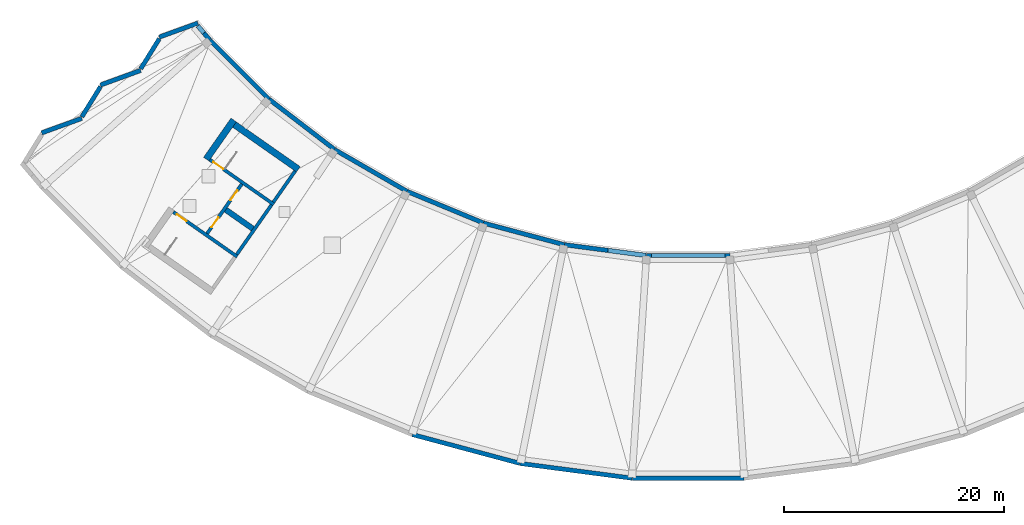
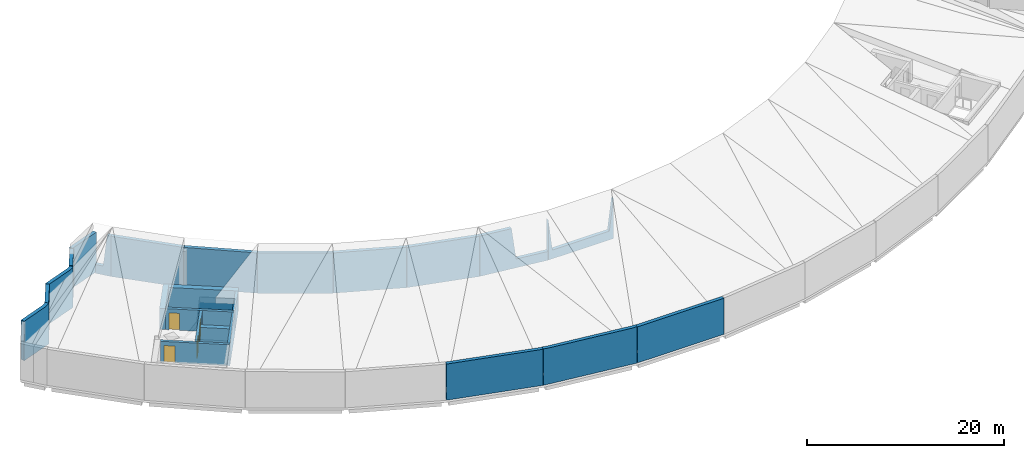
# One storey, part 4 of 6: 24 walls, 4 doors, 4 openings.
"""IFC4 building model written with IfcOpenShell, lengths in metres."""

from ifc_helpers import new_model, si_unit, direction, frame, frame_2d, origin, place, context, subcontext, project, spatial, polyline, rectangle, outline, extrude, material, layer, layer_set, type_object, element, fill, save


model = new_model("IFC4")

# Units and contexts
model_context = context("Model", 3, precision=1e-05, world=origin(), true_north=direction((0.0, 1.0)))
body_context = subcontext(model_context, "Body", "Model", "MODEL_VIEW")
ifc_project = project(units=[si_unit("LENGTHUNIT", "METRE"), si_unit("AREAUNIT", "SQUARE_METRE"), si_unit("VOLUMEUNIT", "CUBIC_METRE"), si_unit("PLANEANGLEUNIT", "RADIAN"), si_unit("MASSUNIT", "GRAM", prefix="KILO")], contexts=[model_context])

# Site, building, storey
site_placement = place(None, origin())
site = spatial("IfcSite", under=ifc_project, at=site_placement, CompositionType="ELEMENT")
building_placement = place(site_placement, origin())
building = spatial("IfcBuilding", under=site, at=building_placement, Name="Qamariyya Broadcast Tower", CompositionType="ELEMENT")
storey_placement = place(building_placement, frame((0.0, 0.0, 318.699951171875)))
storey = spatial("IfcBuildingStorey", under=building, at=storey_placement, Name="Roof", CompositionType="ELEMENT", Elevation=318.699951171875)

# Wall
ifc_material_1 = material(Name="Concrete C60/75", Category="concrete")
ifc_layer_1 = layer(ifc_material_1, 0.5)
ifc_layer_set_1 = layer_set([ifc_layer_1], Name="Head-house divider wall 500 mm Concrete C60/75")
wall_type_1 = type_object("IfcWallType", Name="Head-house divider wall 500 mm Concrete C60/75", PredefinedType="SOLIDWALL", material=ifc_layer_set_1)
wall_1_placement = place(storey_placement, frame((-39.59912109375, -55.28515625, 0.0), z_axis=(0.0, 0.0, 1.0), x_axis=(-0.819136323161, 0.573598887793, 0.0)))
element("IfcWall", 1, at=wall_1_placement, inside=storey, type_object=wall_type_1, Name="k-W-Roof-OD", PredefinedType="SOLIDWALL", context=body_context, shape_type="SweptSolid", body=[
    extrude(rectangle(XDim=2.999755859375, YDim=0.5, at=frame_2d((1.5, 0.0))), origin(), (0.0, 0.0, 1.0), 2.60009765625),
])

# Wall, opening, door
ifc_layer_2 = layer(ifc_material_1, 0.300048828125)
ifc_layer_set_2 = layer_set([ifc_layer_2], Name="Head-house enclosure wall 300 mm Concrete C60/75")
wall_type_2 = type_object("IfcWallType", Name="Head-house enclosure wall 300 mm Concrete C60/75", PredefinedType="SOLIDWALL", material=ifc_layer_set_2)
wall_2_placement = place(storey_placement, frame((-37.68994140625, -53.081787109375, 0.0), z_axis=(0.0, 0.0, 1.0), x_axis=(-0.819138151105, 0.573596277363, 0.0)))
wall_2 = element("IfcWall", 2, at=wall_2_placement, inside=storey, type_object=wall_type_2, Name="k-W-Roof-NHI", PredefinedType="SOLIDWALL", context=body_context, shape_type="SweptSolid", body=[
    extrude(rectangle(XDim=7.09521484375, YDim=0.300048828125, at=frame_2d((3.547607421875, 0.0))), origin(), (0.0, 0.0, 1.0), 2.60009765625),
])
opening_1_placement = place(wall_2_placement, frame((5.620361328125, 0.0, 0.0)))
opening_1 = element("IfcOpeningElement", 3, at=opening_1_placement, cuts=wall_2, Name="Opening KD1-W1", PredefinedType="OPENING", context=body_context, shape_type="SweptSolid", body=[
    extrude(rectangle(XDim=1.10009765625, YDim=2.10009765625, at=frame_2d((0.550048828125, 1.050048828125))), frame((0.0, 0.159912109375, 0.0), z_axis=(0.0, -1.0, 0.0), x_axis=(1.0, 0.0, 0.0)), (0.0, 0.0, 1.0), 0.320068359375),
])
ifc_material_2 = material(Name="Steel fire-resisting door leaf", Category="steel")
door_type_1 = type_object("IfcDoorType", Name="Stair door KD1", OperationType="SINGLE_SWING_LEFT", PredefinedType="DOOR", material=ifc_material_2)
door_1_placement = place(opening_1_placement, origin())
door_1 = element("IfcDoor", 4, at=door_1_placement, inside=storey, type_object=door_type_1, Name="k-W-Roof-NHI-D1", OperationType="SINGLE_SWING_LEFT", OverallHeight=2.10009765625, OverallWidth=1.10009765625, PredefinedType="DOOR", context=body_context, shape_type="SweptSolid", body=[
    extrude(rectangle(XDim=1.10009765625, YDim=2.10009765625, at=frame_2d((0.550048828125, 1.050048828125))), frame((0.0, 0.02490234375, 0.0), z_axis=(0.0, -1.0, 0.0), x_axis=(1.0, 0.0, 0.0)), (0.0, 0.0, 1.0), 0.050048828125),
])
fill(opening_1, door_1)

# Wall
wall_3_placement = place(storey_placement, frame((-37.726806640625, -52.872802734375, 0.0), z_axis=(0.0, 0.0, 1.0), x_axis=(0.573595312041, 0.819138827065, 0.0)))
element("IfcWall", 5, at=wall_3_placement, inside=storey, type_object=wall_type_2, Name="k-W-Roof-NHW", PredefinedType="SOLIDWALL", context=body_context, shape_type="SweptSolid", body=[
    extrude(rectangle(XDim=3.4501953125, YDim=0.300048828125, at=frame_2d((1.72509765625, 0.0))), origin(), (0.0, 0.0, 1.0), 2.60009765625),
])

# Wall, opening, door
wall_4_placement = place(storey_placement, frame((-41.0166015625, -57.832763671875, 0.0), z_axis=(0.0, 0.0, 1.0), x_axis=(-0.819165638072, 0.573557021927, 0.0)))
wall_4 = element("IfcWall", 6, at=wall_4_placement, inside=storey, type_object=wall_type_2, Name="k-W-Roof-SHI", PredefinedType="SOLIDWALL", context=body_context, shape_type="SweptSolid", body=[
    extrude(rectangle(XDim=7.09521484375, YDim=0.300048828125, at=frame_2d((3.547607421875, 0.0))), origin(), (0.0, 0.0, 1.0), 2.60009765625),
])
opening_2_placement = place(wall_4_placement, frame((5.620361328125, 0.0, 0.0)))
opening_2 = element("IfcOpeningElement", 7, at=opening_2_placement, cuts=wall_4, Name="Opening KD1-W2", PredefinedType="OPENING", context=body_context, shape_type="SweptSolid", body=[
    extrude(rectangle(XDim=1.10009765625, YDim=2.10009765625, at=frame_2d((0.550048828125, 1.050048828125))), frame((0.0, 0.159912109375, 0.0), z_axis=(0.0, -1.0, 0.0), x_axis=(1.0, 0.0, 0.0)), (0.0, 0.0, 1.0), 0.320068359375),
])
door_2_placement = place(opening_2_placement, origin())
door_2 = element("IfcDoor", 8, at=door_2_placement, inside=storey, type_object=door_type_1, Name="k-W-Roof-SHI-D2", OperationType="SINGLE_SWING_RIGHT", OverallHeight=2.10009765625, OverallWidth=1.10009765625, PredefinedType="DOOR", context=body_context, shape_type="SweptSolid", body=[
    extrude(rectangle(XDim=1.10009765625, YDim=2.10009765625, at=frame_2d((0.550048828125, 1.050048828125))), frame((0.0, 0.02490234375, 0.0), z_axis=(0.0, -1.0, 0.0), x_axis=(1.0, 0.0, 0.0)), (0.0, 0.0, 1.0), 0.050048828125),
])
fill(opening_2, door_2)

# Wall
wall_5_placement = place(storey_placement, frame((-41.053466796875, -57.623779296875, 0.0), z_axis=(0.0, 0.0, 1.0), x_axis=(0.57358745946, 0.819144325714, 0.0)))
element("IfcWall", 9, at=wall_5_placement, inside=storey, type_object=wall_type_2, Name="k-W-Roof-OB", PredefinedType="SOLIDWALL", context=body_context, shape_type="SweptSolid", body=[
    extrude(rectangle(XDim=5.5, YDim=0.300048828125, at=frame_2d((2.75, 0.0))), origin(), (0.0, 0.0, 1.0), 2.60009765625),
])

# Wall, openings, doors
wall_6_placement = place(storey_placement, frame((-43.756591796875, -55.731201171875, 0.0), z_axis=(0.0, 0.0, 1.0), x_axis=(0.573536818435, 0.819179783625, 0.0)))
wall_6 = element("IfcWall", 10, at=wall_6_placement, inside=storey, type_object=wall_type_2, Name="k-W-Roof-OF", PredefinedType="SOLIDWALL", context=body_context, shape_type="SweptSolid", body=[
    extrude(rectangle(XDim=5.500244140625, YDim=0.300048828125, at=frame_2d((2.75, 0.0))), origin(), (0.0, 0.0, 1.0), 2.60009765625),
])
opening_3_placement = place(wall_6_placement, frame((0.699951171875, 0.0, 0.0)))
opening_3 = element("IfcOpeningElement", 11, at=opening_3_placement, cuts=wall_6, Name="Opening LD", PredefinedType="OPENING", context=body_context, shape_type="SweptSolid", body=[
    extrude(rectangle(XDim=1.10009765625, YDim=2.10009765625, at=frame_2d((0.550048828125, 1.050048828125))), frame((0.0, 0.159912109375, 0.0), z_axis=(0.0, -1.0, 0.0), x_axis=(1.0, 0.0, 0.0)), (0.0, 0.0, 1.0), 0.320068359375),
])
opening_4_placement = place(wall_6_placement, frame((3.699951171875, 0.0, 0.0)))
opening_4 = element("IfcOpeningElement", 12, at=opening_4_placement, cuts=wall_6, Name="Opening LD", PredefinedType="OPENING", context=body_context, shape_type="SweptSolid", body=[
    extrude(rectangle(XDim=1.10009765625, YDim=2.10009765625, at=frame_2d((0.550048828125, 1.050048828125))), frame((0.0, 0.159912109375, 0.0), z_axis=(0.0, -1.0, 0.0), x_axis=(1.0, 0.0, 0.0)), (0.0, 0.0, 1.0), 0.320068359375),
])
door_type_2 = type_object("IfcDoorType", Name="Lift landing door LD", OperationType="DOUBLE_DOOR_SLIDING", PredefinedType="DOOR", material=ifc_material_2)
door_3_placement = place(opening_3_placement, origin())
door_3 = element("IfcDoor", 13, at=door_3_placement, inside=storey, type_object=door_type_2, Name="k-W-Roof-OF-D3", OperationType="DOUBLE_DOOR_SLIDING", OverallHeight=2.10009765625, OverallWidth=1.10009765625, PredefinedType="DOOR", context=body_context, shape_type="SweptSolid", body=[
    extrude(rectangle(XDim=1.10009765625, YDim=2.10009765625, at=frame_2d((0.550048828125, 1.050048828125))), frame((0.0, 0.02490234375, 0.0), z_axis=(0.0, -1.0, 0.0), x_axis=(1.0, 0.0, 0.0)), (0.0, 0.0, 1.0), 0.050048828125),
])
fill(opening_3, door_3)
door_4_placement = place(opening_4_placement, origin())
door_4 = element("IfcDoor", 14, at=door_4_placement, inside=storey, type_object=door_type_2, Name="k-W-Roof-OF-D4", OperationType="DOUBLE_DOOR_SLIDING", OverallHeight=2.10009765625, OverallWidth=1.10009765625, PredefinedType="DOOR", context=body_context, shape_type="SweptSolid", body=[
    extrude(rectangle(XDim=1.10009765625, YDim=2.10009765625, at=frame_2d((0.550048828125, 1.050048828125))), frame((0.0, 0.02490234375, 0.0), z_axis=(0.0, -1.0, 0.0), x_axis=(1.0, 0.0, 0.0)), (0.0, 0.0, 1.0), 0.050048828125),
])
fill(opening_4, door_4)

# Walls
ifc_layer_3 = layer(ifc_material_1, 0.60009765625)
ifc_layer_set_3 = layer_set([ifc_layer_3], Name="Head-house wall 600 mm Concrete C60/75")
wall_type_3 = type_object("IfcWallType", Name="Head-house wall 600 mm Concrete C60/75", PredefinedType="SOLIDWALL", material=ifc_layer_set_3)
wall_7_placement = place(storey_placement, frame((-35.452880859375, -49.886962890625, 0.0), z_axis=(0.0, 0.0, 1.0), x_axis=(-0.819165638072, 0.573557021927, 0.0)))
element("IfcWall", 15, at=wall_7_placement, inside=storey, type_object=wall_type_3, Name="k-W-Roof-NHO", PredefinedType="SOLIDWALL", context=body_context, shape_type="SweptSolid", body=[
    extrude(rectangle(XDim=7.09521484375, YDim=0.60009765625, at=frame_2d((3.547607421875, 0.0))), origin(), (0.0, 0.0, 1.0), 2.60009765625),
])
wall_8_placement = place(storey_placement, frame((-43.833740234375, -48.962890625, 0.0), z_axis=(0.0, 0.0, 1.0), x_axis=(0.573530143085, 0.819184457233, 0.0)))
element("IfcWall", 16, at=wall_8_placement, inside=storey, type_object=wall_type_3, Name="k-W-Roof-NHE", PredefinedType="SOLIDWALL", context=body_context, shape_type="SweptSolid", body=[
    extrude(rectangle(XDim=4.35009765625, YDim=0.60009765625, at=frame_2d((2.175048828125, 0.0))), origin(), (0.0, 0.0, 1.0), 2.60009765625),
])
ifc_material_3 = material(Name="Terracotta", Category="masonry")
ifc_layer_4 = layer(ifc_material_3, 0.39990234375)
ifc_layer_set_4 = layer_set([ifc_layer_4], Name="Parapet wall, terracotta clad 400")
wall_type_4 = type_object("IfcWallType", Name="Parapet wall, terracotta clad 400", PredefinedType="PARAPET", material=ifc_layer_set_4)
wall_9_placement = place(storey_placement, frame((-44.58642578125, -36.581787109375, 0.0), z_axis=(0.0, 0.0, 1.0), x_axis=(-0.940130056589, -0.340815898541, 0.0)))
element("IfcWall", 17, at=wall_9_placement, inside=storey, type_object=wall_type_4, Name="e-wl-Roof-capW0", PredefinedType="PARAPET", context=body_context, shape_type="SweptSolid", body=[
    extrude(outline(polyline([(0.0, 0.0), (3.742919921875, 0.0), (3.74267578125, 4.89013671875), (3.27490234375, 4.89013671875), (2.80712890625, 4.89013671875), (2.339111328125, 4.89013671875), (1.871337890625, 4.89013671875), (1.403564453125, 4.89013671875), (0.935791015625, 4.89013671875), (0.4677734375, 4.89013671875), (0.0, 4.89013671875), (0.0, 0.0)])), frame((0.0, 0.199951171875, 0.0), z_axis=(0.0, -1.0, 0.0), x_axis=(1.0, 0.0, 0.0)), (0.0, 0.0, 1.0), 0.39990234375),
])
wall_10_placement = place(storey_placement, frame((-48.104248046875, -38.00341796875, 0.0), z_axis=(0.0, 0.0, 1.0), x_axis=(-0.525678481137, -0.850683333838, 0.0)))
element("IfcWall", 18, at=wall_10_placement, inside=storey, type_object=wall_type_4, Name="e-wl-Roof-capW1", PredefinedType="PARAPET", context=body_context, shape_type="SweptSolid", body=[
    extrude(outline(polyline([(0.0, 0.0), (3.220458984375, 0.0), (3.22021484375, 5.0), (2.76025390625, 5.0), (2.300048828125, 5.0), (1.840087890625, 5.0), (1.380126953125, 5.0), (0.920166015625, 4.89013671875), (0.4599609375, 4.89013671875), (0.0, 4.89013671875), (0.0, 0.0)])), frame((0.0, 0.199951171875, 0.0), z_axis=(0.0, -1.0, 0.0), x_axis=(1.0, 0.0, 0.0)), (0.0, 0.0, 1.0), 0.39990234375),
])
wall_11_placement = place(storey_placement, frame((-49.79638671875, -40.888916015625, 0.0), z_axis=(0.0, 0.0, 1.0), x_axis=(-0.940086069154, -0.340937212083, 0.0)))
element("IfcWall", 19, at=wall_11_placement, inside=storey, type_object=wall_type_4, Name="e-wl-Roof-capW2", PredefinedType="PARAPET", context=body_context, shape_type="SweptSolid", body=[
    extrude(outline(polyline([(0.0, 0.0), (3.892578125, 0.0), (3.892822265625, 4.89013671875), (3.406005859375, 4.89013671875), (2.91943359375, 4.89013671875), (2.432861328125, 4.89013671875), (1.9462890625, 4.89013671875), (1.459716796875, 4.89013671875), (0.97314453125, 4.89013671875), (0.486572265625, 4.89013671875), (0.0, 5.0), (0.0, 0.0)])), frame((0.0, 0.199951171875, 0.0), z_axis=(0.0, -1.0, 0.0), x_axis=(1.0, 0.0, 0.0)), (0.0, 0.0, 1.0), 0.39990234375),
])
wall_12_placement = place(storey_placement, frame((-53.454833984375, -42.362060546875, 0.0), z_axis=(0.0, 0.0, 1.0), x_axis=(-0.525649491409, -0.850701247314, 0.0)))
element("IfcWall", 20, at=wall_12_placement, inside=storey, type_object=wall_type_4, Name="e-wl-Roof-capW3", PredefinedType="PARAPET", context=body_context, shape_type="SweptSolid", body=[
    extrude(outline(polyline([(0.0, 0.0), (3.21923828125, 0.0), (3.218994140625, 4.89013671875), (2.75927734375, 4.89013671875), (2.29931640625, 4.89013671875), (1.83935546875, 4.89013671875), (1.379638671875, 4.89013671875), (0.919677734375, 4.89013671875), (0.4599609375, 4.89013671875), (0.0, 5.0), (0.0, 0.0)])), frame((0.0, 0.199951171875, 0.0), z_axis=(0.0, -1.0, 0.0), x_axis=(1.0, 0.0, 0.0)), (0.0, 0.0, 1.0), 0.39990234375),
])
wall_13_placement = place(storey_placement, frame((-55.14599609375, -45.24658203125, 0.0), z_axis=(0.0, 0.0, 1.0), x_axis=(-0.940075029039, -0.340967652099, 0.0)))
element("IfcWall", 21, at=wall_13_placement, inside=storey, type_object=wall_type_4, Name="e-wl-Roof-capW4", PredefinedType="PARAPET", context=body_context, shape_type="SweptSolid", body=[
    extrude(outline(polyline([(0.0, 0.0), (3.893798828125, 0.0), (3.8935546875, 4.89013671875), (3.406982421875, 4.89013671875), (2.920166015625, 4.89013671875), (2.43359375, 4.89013671875), (1.94677734375, 4.89013671875), (1.460205078125, 4.89013671875), (0.973388671875, 4.89013671875), (0.48681640625, 4.89013671875), (0.0, 5.0), (0.0, 0.0)])), frame((0.0, 0.199951171875, 0.0), z_axis=(0.0, -1.0, 0.0), x_axis=(1.0, 0.0, 0.0)), (0.0, 0.0, 1.0), 0.39990234375),
])
wall_14_placement = place(storey_placement, frame((-43.51123046875, -38.122802734375, 0.0), z_axis=(0.0, 0.0, 1.0), x_axis=(-0.645545650865, 0.763721685334, 0.0)))
element("IfcWall", 22, at=wall_14_placement, inside=storey, type_object=wall_type_4, Name="e-wl-Roof-in00", PredefinedType="PARAPET", context=body_context, shape_type="SweptSolid", body=[
    extrude(outline(polyline([(0.0, 0.0), (1.68359375, 0.0), (1.68359375, 1.090087890625), (1.2626953125, 1.090087890625), (0.841796875, 1.090087890625), (0.4208984375, 4.987060546875), (0.0, 4.987060546875), (0.0, 0.0)])), frame((0.0, 0.199951171875, 0.0), z_axis=(0.0, -1.0, 0.0), x_axis=(1.0, 0.0, 0.0)), (0.0, 0.0, 1.0), 0.39990234375),
])
wall_15_placement = place(storey_placement, frame((-38.125732421875, -43.511962890625, 0.0), z_axis=(0.0, 0.0, 1.0), x_axis=(-0.707106781187, 0.707106781187, 0.0)))
element("IfcWall", 23, at=wall_15_placement, inside=storey, type_object=wall_type_4, Name="e-wl-Roof-in10", PredefinedType="PARAPET", context=body_context, shape_type="SweptSolid", body=[
    extrude(outline(polyline([(0.0, 0.0), (7.6025390625, 0.0), (7.6025390625, 4.98681640625), (7.127197265625, 4.98681640625), (6.652099609375, 4.98681640625), (6.177001953125, 4.98681640625), (5.701904296875, 4.98681640625), (5.226806640625, 4.98681640625), (4.75146484375, 4.98681640625), (4.2763671875, 4.98681640625), (3.80126953125, 4.98681640625), (3.326171875, 4.98681640625), (2.850830078125, 4.98681640625), (2.375732421875, 4.98681640625), (1.900634765625, 4.98681640625), (1.425537109375, 4.98681640625), (0.9501953125, 4.98681640625), (0.47509765625, 4.98681640625), (0.0, 4.986572265625), (0.0, 0.0)])), frame((0.0, 0.199951171875, 0.0), z_axis=(0.0, -1.0, 0.0), x_axis=(1.0, 0.0, 0.0)), (0.0, 0.0, 1.0), 0.39990234375),
])
wall_16_placement = place(storey_placement, frame((-32.18017578125, -48.070068359375, 0.0), z_axis=(0.0, 0.0, 1.0), x_axis=(-0.793355236357, 0.608758957999, 0.0)))
element("IfcWall", 24, at=wall_16_placement, inside=storey, type_object=wall_type_4, Name="e-wl-Roof-in20", PredefinedType="PARAPET", context=body_context, shape_type="SweptSolid", body=[
    extrude(outline(polyline([(0.0, 0.0), (7.4658203125, 0.0), (7.4658203125, 4.98681640625), (6.968017578125, 4.98681640625), (6.47021484375, 4.98681640625), (5.97265625, 4.98681640625), (5.474853515625, 4.98681640625), (4.97705078125, 4.98681640625), (4.4794921875, 4.98681640625), (3.981689453125, 4.98681640625), (3.484130859375, 4.98681640625), (2.986328125, 4.98681640625), (2.488525390625, 4.98681640625), (1.990966796875, 4.98681640625), (1.4931640625, 4.98681640625), (0.995361328125, 4.98681640625), (0.497802734375, 4.98681640625), (0.0, 4.98681640625), (0.0, 0.0)])), frame((0.0, 0.199951171875, 0.0), z_axis=(0.0, -1.0, 0.0), x_axis=(1.0, 0.0, 0.0)), (0.0, 0.0, 1.0), 0.39990234375),
])
wall_17_placement = place(storey_placement, frame((-25.56494140625, -51.89697265625, 0.0), z_axis=(0.0, 0.0, 1.0), x_axis=(-0.866025463095, 0.499999897272, 0.0)))
element("IfcWall", 25, at=wall_17_placement, inside=storey, type_object=wall_type_4, Name="e-wl-Roof-in30", PredefinedType="PARAPET", context=body_context, shape_type="SweptSolid", body=[
    extrude(outline(polyline([(0.0, 0.0), (7.6171875, 0.0), (7.6171875, 4.986572265625), (7.14111328125, 4.98681640625), (6.6650390625, 4.98681640625), (6.18896484375, 4.98681640625), (5.712890625, 4.98681640625), (5.23681640625, 4.98681640625), (4.7607421875, 4.98681640625), (4.28466796875, 4.98681640625), (3.80859375, 4.98681640625), (3.33251953125, 4.98681640625), (2.8564453125, 4.98681640625), (2.38037109375, 4.98681640625), (1.904296875, 4.98681640625), (1.42822265625, 4.98681640625), (0.9521484375, 4.98681640625), (0.47607421875, 4.98681640625), (0.0, 4.986572265625), (0.0, 0.0)])), frame((0.0, 0.199951171875, 0.0), z_axis=(0.0, -1.0, 0.0), x_axis=(1.0, 0.0, 0.0)), (0.0, 0.0, 1.0), 0.39990234375),
])
wall_18_placement = place(storey_placement, frame((-18.642333984375, -54.760986328125, 0.0), z_axis=(0.0, 0.0, 1.0), x_axis=(-0.923872151004, 0.382701252414, 0.0)))
element("IfcWall", 26, at=wall_18_placement, inside=storey, type_object=wall_type_4, Name="e-wl-Roof-in40", PredefinedType="PARAPET", context=body_context, shape_type="SweptSolid", body=[
    extrude(outline(polyline([(0.0, 0.0), (7.4658203125, 0.0), (7.4658203125, 4.98681640625), (6.968017578125, 4.98681640625), (6.47021484375, 4.98681640625), (5.97265625, 4.98681640625), (5.474853515625, 4.98681640625), (4.97705078125, 4.98681640625), (4.4794921875, 4.98681640625), (3.981689453125, 4.98681640625), (3.484130859375, 4.98681640625), (2.986328125, 4.98681640625), (2.488525390625, 4.98681640625), (1.990966796875, 4.98681640625), (1.4931640625, 4.98681640625), (0.995361328125, 4.98681640625), (0.497802734375, 4.98681640625), (0.0, 4.98681640625), (0.0, 0.0)])), frame((0.0, 0.199951171875, 0.0), z_axis=(0.0, -1.0, 0.0), x_axis=(1.0, 0.0, 0.0)), (0.0, 0.0, 1.0), 0.39990234375),
])
wall_19_placement = place(storey_placement, frame((-11.261962890625, -56.745361328125, 0.0), z_axis=(0.0, 0.0, 1.0), x_axis=(-0.965927307138, 0.258813518437, 0.0)))
element("IfcWall", 27, at=wall_19_placement, inside=storey, type_object=wall_type_4, Name="e-wl-Roof-in50", PredefinedType="PARAPET", context=body_context, shape_type="SweptSolid", body=[
    extrude(outline(polyline([(0.0, 0.0), (7.6171875, 0.0), (7.6171875, 4.986572265625), (7.14111328125, 4.98681640625), (6.6650390625, 4.98681640625), (6.18896484375, 4.98681640625), (5.712890625, 4.98681640625), (5.23681640625, 4.98681640625), (4.7607421875, 4.98681640625), (4.28466796875, 4.98681640625), (3.80859375, 4.98681640625), (3.33251953125, 4.98681640625), (2.8564453125, 4.98681640625), (2.38037109375, 4.98681640625), (1.904296875, 4.98681640625), (1.42822265625, 4.98681640625), (0.9521484375, 4.98681640625), (0.47607421875, 4.98681640625), (0.0, 4.986572265625), (0.0, 0.0)])), frame((0.0, 0.199951171875, 0.0), z_axis=(0.0, -1.0, 0.0), x_axis=(1.0, 0.0, 0.0)), (0.0, 0.0, 1.0), 0.39990234375),
])
wall_20_placement = place(storey_placement, frame((-3.833984375, -57.719970703125, 0.0), z_axis=(0.0, 0.0, 1.0), x_axis=(-0.991442493144, 0.130544179452, 0.0)))
element("IfcWall", 28, at=wall_20_placement, inside=storey, type_object=wall_type_4, Name="e-wl-Roof-in60", PredefinedType="PARAPET", context=body_context, shape_type="SweptSolid", body=[
    extrude(outline(polyline([(0.0, 0.0), (7.4658203125, 0.0), (7.4658203125, 4.98681640625), (6.968017578125, 4.98681640625), (6.47021484375, 4.98681640625), (5.97265625, 4.98681640625), (5.474853515625, 4.98681640625), (4.97705078125, 4.98681640625), (4.4794921875, 4.98681640625), (3.981689453125, 4.98681640625), (3.484130859375, 1.090087890625), (2.986328125, 1.090087890625), (2.488525390625, 1.090087890625), (1.990966796875, 1.090087890625), (1.4931640625, 1.090087890625), (0.995361328125, 1.090087890625), (0.497802734375, 1.090087890625), (0.0, 1.090087890625), (0.0, 0.0)])), frame((0.0, 0.199951171875, 0.0), z_axis=(0.0, -1.0, 0.0), x_axis=(1.0, 0.0, 0.0)), (0.0, 0.0, 1.0), 0.39990234375),
])
wall_21_placement = place(storey_placement, frame((3.80859375, -57.7265625, 0.0), z_axis=(0.0, 0.0, 1.0), x_axis=(-1.0, 0.0, 0.0)))
element("IfcWall", 29, at=wall_21_placement, inside=storey, type_object=wall_type_4, Name="e-wl-Roof-in70", PredefinedType="PARAPET", context=body_context, shape_type="SweptSolid", body=[
    extrude(outline(polyline([(0.0, 0.0), (7.6171875, 0.0), (7.6171875, 4.986572265625), (7.14111328125, 1.090087890625), (6.6650390625, 1.090087890625), (6.18896484375, 1.090087890625), (5.712890625, 1.090087890625), (5.23681640625, 1.090087890625), (4.7607421875, 1.090087890625), (4.28466796875, 1.090087890625), (3.80859375, 1.090087890625), (3.33251953125, 1.090087890625), (2.8564453125, 1.090087890625), (2.38037109375, 1.090087890625), (1.904296875, 1.090087890625), (1.42822265625, 1.090087890625), (0.9521484375, 1.090087890625), (0.47607421875, 1.090087890625), (0.0, 4.986572265625), (0.0, 0.0)])), frame((0.0, 0.199951171875, 0.0), z_axis=(0.0, -1.0, 0.0), x_axis=(1.0, 0.0, 0.0)), (0.0, 0.0, 1.0), 0.39990234375),
])
wall_22_placement = place(storey_placement, frame((-25.0712890625, -74.015380859375, 0.0), z_axis=(0.0, 0.0, 1.0), x_axis=(0.965928778267, -0.258808027921, 0.0)))
element("IfcWall", 30, at=wall_22_placement, inside=storey, type_object=wall_type_4, Name="e-wl-Roof-out50", PredefinedType="PARAPET", context=body_context, shape_type="SweptSolid", body=[
    extrude(outline(polyline([(0.0, 0.0), (10.120849609375, 0.0), (10.12109375, 4.47216796875), (9.63916015625, 4.47216796875), (9.156982421875, 4.47216796875), (8.675048828125, 4.47216796875), (8.193115234375, 4.47216796875), (7.711181640625, 4.47216796875), (7.229248046875, 4.47216796875), (6.747314453125, 4.47216796875), (6.265380859375, 4.47216796875), (5.783447265625, 4.47216796875), (5.301513671875, 4.47216796875), (4.819580078125, 4.47216796875), (4.337646484375, 4.47216796875), (3.855712890625, 4.47216796875), (3.373779296875, 4.47216796875), (2.8916015625, 4.47216796875), (2.40966796875, 4.47216796875), (1.927734375, 4.47216796875), (1.44580078125, 4.47216796875), (0.9638671875, 4.47216796875), (0.48193359375, 4.47216796875), (0.0, 4.47216796875), (0.0, 0.0)])), frame((0.0, 0.199951171875, 0.0), z_axis=(0.0, -1.0, 0.0), x_axis=(1.0, 0.0, 0.0)), (0.0, 0.0, 1.0), 0.39990234375),
])
wall_23_placement = place(storey_placement, frame((-15.27099609375, -76.644775390625, 0.0), z_axis=(0.0, 0.0, 1.0), x_axis=(0.991444909321, -0.130525828027, 0.0)))
element("IfcWall", 31, at=wall_23_placement, inside=storey, type_object=wall_type_4, Name="e-wl-Roof-out60", PredefinedType="PARAPET", context=body_context, shape_type="SweptSolid", body=[
    extrude(outline(polyline([(0.0, 0.0), (10.2724609375, 0.0), (10.2724609375, 4.513916015625), (9.783203125, 4.47216796875), (9.294189453125, 4.47216796875), (8.804931640625, 4.47216796875), (8.315673828125, 4.47216796875), (7.82666015625, 4.47216796875), (7.33740234375, 4.47216796875), (6.848388671875, 4.47216796875), (6.359130859375, 4.47216796875), (5.869873046875, 4.47216796875), (5.380859375, 4.47216796875), (4.8916015625, 4.47216796875), (4.402587890625, 4.47216796875), (3.913330078125, 4.47216796875), (3.424072265625, 4.47216796875), (2.93505859375, 4.47216796875), (2.44580078125, 4.47216796875), (1.95654296875, 4.47216796875), (1.467529296875, 4.47216796875), (0.978271484375, 4.47216796875), (0.4892578125, 4.47216796875), (0.0, 4.513916015625), (0.0, 0.0)])), frame((0.0, 0.199951171875, 0.0), z_axis=(0.0, -1.0, 0.0), x_axis=(1.0, 0.0, 0.0)), (0.0, 0.0, 1.0), 0.39990234375),
])
wall_24_placement = place(storey_placement, frame((-5.060546875, -77.982177734375, 0.0), z_axis=(0.0, 0.0, 1.0), x_axis=(1.0, 0.0, 0.0)))
element("IfcWall", 32, at=wall_24_placement, inside=storey, type_object=wall_type_4, Name="e-wl-Roof-out70", PredefinedType="PARAPET", context=body_context, shape_type="SweptSolid", body=[
    extrude(outline(polyline([(0.0, 0.0), (10.12109375, 0.0), (10.12109375, 4.47216796875), (9.63916015625, 4.47216796875), (9.156982421875, 4.47216796875), (8.675048828125, 4.47216796875), (8.193115234375, 4.47216796875), (7.711181640625, 4.47216796875), (7.229248046875, 4.47216796875), (6.747314453125, 4.47216796875), (6.265380859375, 4.47216796875), (5.783447265625, 4.47216796875), (5.301513671875, 4.47216796875), (4.819580078125, 4.47216796875), (4.337646484375, 4.47216796875), (3.855712890625, 4.47216796875), (3.373779296875, 4.47216796875), (2.8916015625, 4.47216796875), (2.40966796875, 4.47216796875), (1.927734375, 4.47216796875), (1.44580078125, 4.47216796875), (0.9638671875, 4.47216796875), (0.48193359375, 4.47216796875), (0.0, 4.47216796875), (0.0, 0.0)])), frame((0.0, 0.199951171875, 0.0), z_axis=(0.0, -1.0, 0.0), x_axis=(1.0, 0.0, 0.0)), (0.0, 0.0, 1.0), 0.39990234375),
])

save(model, "model.ifc")
